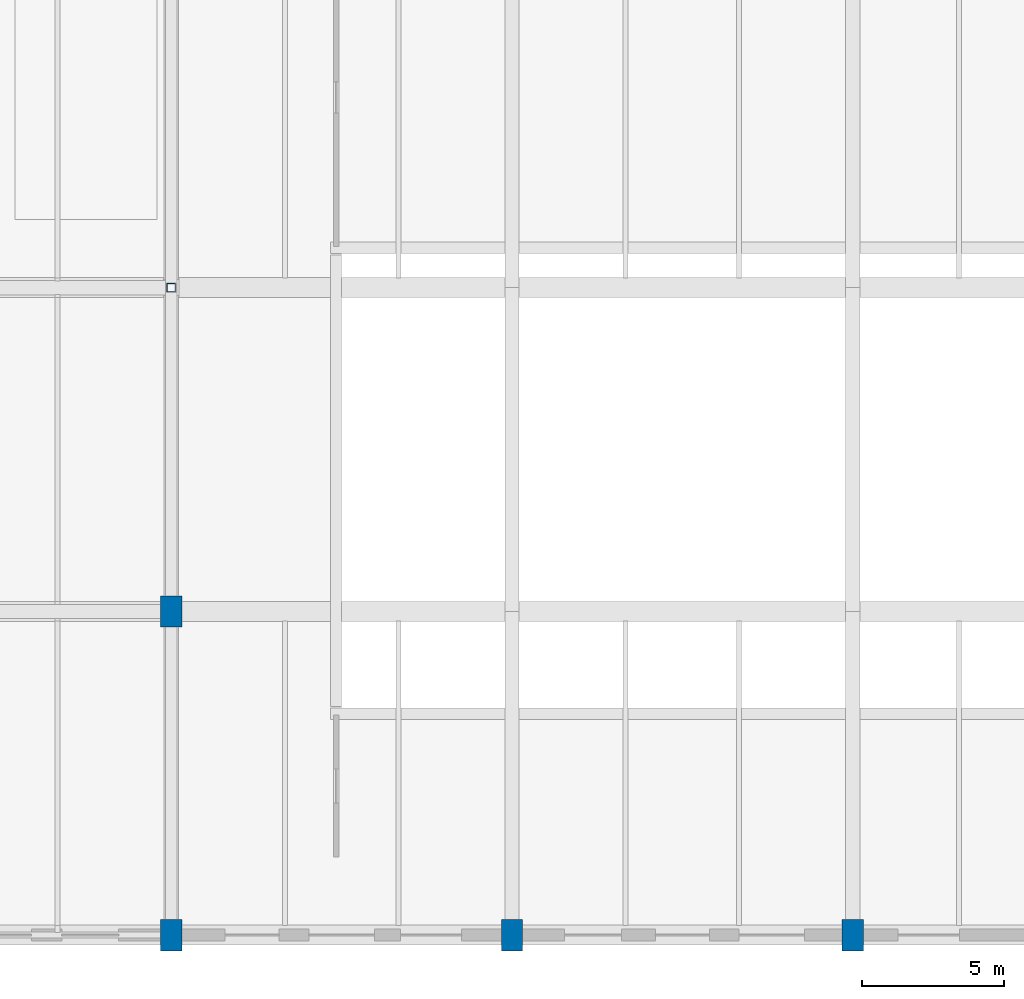
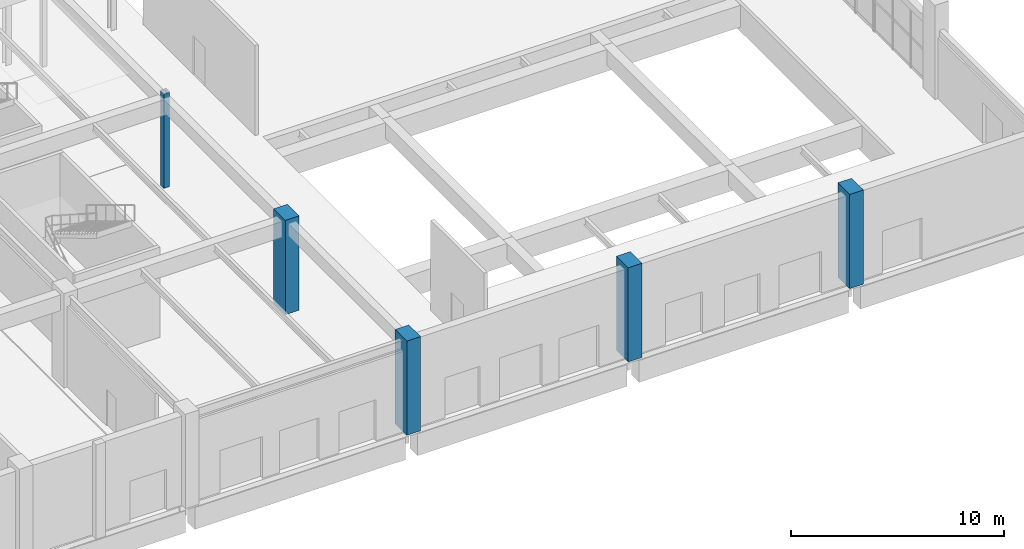
# One storey, part 17 of 113: 5 columns.
"""IFC4 building model written with IfcOpenShell, lengths in metres."""

from ifc_helpers import new_model, si_unit, direction, frame, origin, origin_2d, place, context, subcontext, project, spatial, rectangle, hollow_rectangle, extrude, material, material_profile, profile_set, type_object, element, save


model = new_model("IFC4")

# Units and contexts
model_context = context("Model", 3, precision=1e-05, world=origin(), true_north=direction((0.0, 1.0)))
body_context = subcontext(model_context, "Body", "Model", "MODEL_VIEW")
ifc_project = project(units=[si_unit("LENGTHUNIT", "METRE"), si_unit("AREAUNIT", "SQUARE_METRE"), si_unit("VOLUMEUNIT", "CUBIC_METRE"), si_unit("PLANEANGLEUNIT", "RADIAN"), si_unit("MASSUNIT", "GRAM", prefix="KILO"), si_unit("POWERUNIT", "WATT"), si_unit("THERMODYNAMICTEMPERATUREUNIT", "KELVIN")], contexts=[model_context])

# Site, building, storey
site_placement = place(None, origin())
site = spatial("IfcSite", under=ifc_project, at=site_placement, CompositionType="ELEMENT")
building_placement = place(site_placement, origin())
building = spatial("IfcBuilding", under=site, at=building_placement, Name="Kelmbourne Parkland Aquatics Centre", CompositionType="ELEMENT")
storey_placement = place(building_placement, origin())
storey = spatial("IfcBuildingStorey", under=building, at=storey_placement, Name="L00", CompositionType="ELEMENT", Elevation=0.0)

# Columns
ifc_material_1 = material(Name="Concrete C40/50", Category="concrete")
ifc_material_profile_1 = material_profile(ifc_material_1, rectangle(XDim=0.75, YDim=1.10009765625, at=origin_2d()), Name="RC 750x1100")
ifc_profile_set_1 = profile_set([ifc_material_profile_1], Name="Concrete C40/50")
column_type_1 = type_object("IfcColumnType", Name="COL-C03", PredefinedType="COLUMN", material=ifc_profile_set_1)
for number, where, z_axis, x_axis, name in (
    (1, (140.0, 0.800048828125, 0.0), (0.0, 0.0, 1.0), (1.0, 0.0, 0.0), "Structural column Q-01 (L00)"),
    (2, (140.0, 12.199951171875, 0.0), (0.0, 0.0, 1.0), (1.0, 0.0, 0.0), "Structural column Q-03 (L00)"),
    (3, (152.0, 0.800048828125, 0.0), (0.0, 0.0, 1.0), (1.0, 0.0, 0.0), "Structural column R-01 (L00)"),
    (4, (164.0, 0.800048828125, 0.0), (0.0, 0.0, 1.0), (1.0, 0.0, 0.0), "Structural column S-01 (L00)"),
):
    element("IfcColumn", number, at=place(storey_placement, frame(where, z_axis=z_axis, x_axis=x_axis)), inside=storey, type_object=column_type_1, Name=name, PredefinedType="COLUMN", context=body_context, shape_type="SweptSolid", body=[
        extrude(rectangle(XDim=0.75, YDim=1.10009765625, at=origin_2d()), origin(), (0.0, 0.0, 1.0), 5.39990234375),
    ])
ifc_material_2 = material(Name="Cold-formed hollow steel AS/NZS 1163 C350L0", Category="steel")
ifc_material_profile_2 = material_profile(ifc_material_2, hollow_rectangle(XDim=0.300048828125, YDim=0.300048828125, WallThickness=0.012451171875, at=origin_2d()), Name="SHS 300x300x12.5")
ifc_profile_set_2 = profile_set([ifc_material_profile_2], Name="Cold-formed hollow steel AS/NZS 1163 C350L0")
column_type_2 = type_object("IfcColumnType", Name="COL-C22", PredefinedType="COLUMN", material=ifc_profile_set_2)
column_placement = place(storey_placement, frame((140.0, 23.60009765625, 0.0), z_axis=(0.0, 0.0, 1.0), x_axis=(1.0, 0.0, 0.0)))
element("IfcColumn", 5, at=column_placement, inside=storey, type_object=column_type_2, Name="Structural column Q-04 (L00)", PredefinedType="COLUMN", context=body_context, shape_type="SweptSolid", body=[
    extrude(hollow_rectangle(XDim=0.300048828125, YDim=0.300048828125, WallThickness=0.012451171875, at=origin_2d()), origin(), (0.0, 0.0, 1.0), 5.39990234375),
])

save(model, "model.ifc")
